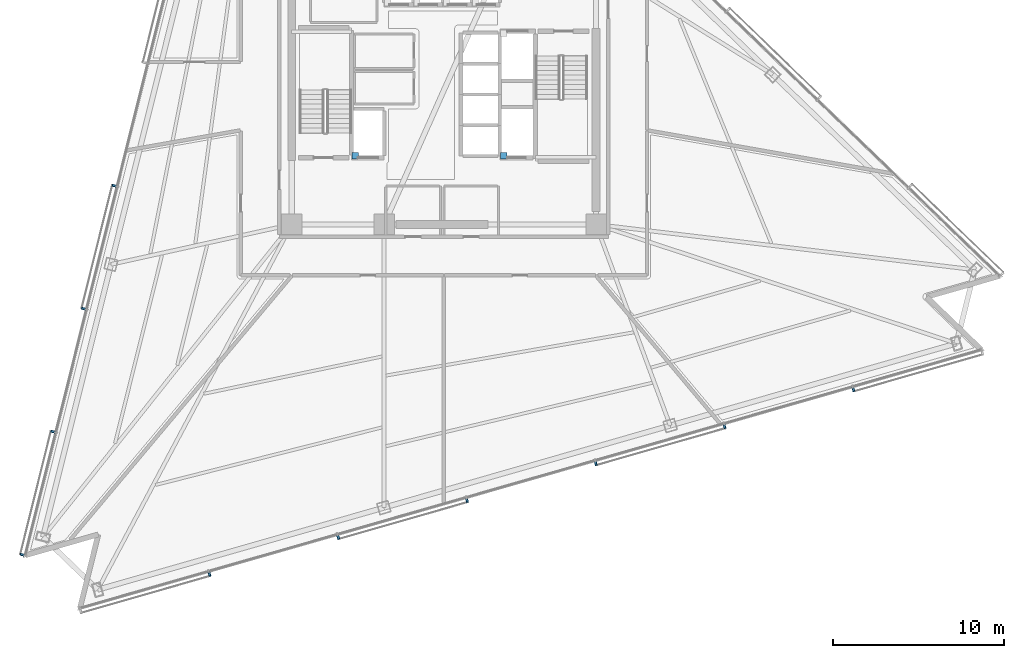
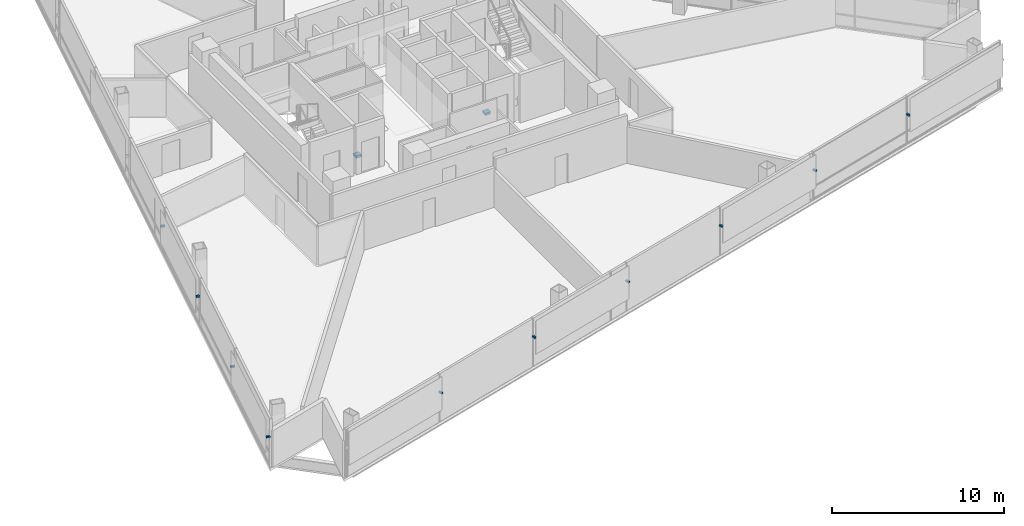
# One storey, part 12 of 19: 12 discrete accessories.
"""IFC4 building model written with IfcOpenShell, lengths in metres."""

from ifc_helpers import new_model, si_unit, direction, frame, origin, origin_2d, place, context, subcontext, project, spatial, rectangle, extrude, material, type_object, element, save


model = new_model("IFC4")

# Units and contexts
model_context = context("Model", 3, precision=1e-05, world=origin(), true_north=direction((0.0, 1.0)))
body_context = subcontext(model_context, "Body", "Model", "MODEL_VIEW")
ifc_project = project(units=[si_unit("LENGTHUNIT", "METRE"), si_unit("AREAUNIT", "SQUARE_METRE"), si_unit("VOLUMEUNIT", "CUBIC_METRE"), si_unit("PLANEANGLEUNIT", "RADIAN"), si_unit("MASSUNIT", "GRAM", prefix="KILO")], contexts=[model_context])

# Site, building, storey
site_placement = place(None, origin())
site = spatial("IfcSite", under=ifc_project, at=site_placement, CompositionType="ELEMENT")
building_placement = place(site_placement, origin())
building = spatial("IfcBuilding", under=site, at=building_placement, Name="Tharavind Bronze Gate", CompositionType="ELEMENT")
storey_placement = place(building_placement, frame((0.0, 0.0, 89.699951171875)))
storey = spatial("IfcBuildingStorey", under=building, at=storey_placement, Name="L22", CompositionType="ELEMENT", Elevation=89.699951171875)

# Discrete accessories
ifc_material_1 = material(Name="Galvanised Steel S355", Category="steel")
discrete_accessory_type_1 = type_object("IfcDiscreteAccessoryType", Name="LIFT GUIDE RAIL BRACKET", PredefinedType="BRACKET", material=ifc_material_1)
for number, where, z_axis, x_axis, name in (
    (1, (-5.179931640625, -3.580078125, 1.1201171875), (0.0, 0.0, 1.0), (1.0, 0.0, 0.0), "Lift FFL1 guide rail bracket at L22"),
    (2, (3.5, -3.580078125, 1.1201171875), (0.0, 0.0, 1.0), (1.0, 0.0, 0.0), "Lift SVL1 guide rail bracket at L22"),
):
    element("IfcDiscreteAccessory", number, at=place(storey_placement, frame(where, z_axis=z_axis, x_axis=x_axis)), inside=storey, type_object=discrete_accessory_type_1, Name=name, PredefinedType="BRACKET", context=body_context, shape_type="SweptSolid", body=[
        extrude(rectangle(XDim=0.360107421875, YDim=0.360107421875, at=origin_2d()), origin(), (0.0, 0.0, 1.0), 0.159912109375),
    ])
ifc_material_2 = material(Name="Stainless Steel 316", Category="steel")
discrete_accessory_type_2 = type_object("IfcDiscreteAccessoryType", Name="SOLAR SCREEN STANDOFF BRACKET", PredefinedType="BRACKET", material=ifc_material_2)
for number, where, z_axis, x_axis, name in (
    (3, (-19.282958984375, -5.338134765625, 2.094970703125), (0.0, 0.0, 1.0), (-0.2419218956, -0.970295726276, 0.0), "CW-L22-S1 solar screen bracket 5.1"),
    (4, (-21.07666015625, -12.531982421875, 2.094970703125), (0.0, 0.0, 1.0), (-0.2419218956, -0.970295726276, 0.0), "CW-L22-S1 solar screen bracket 5.2"),
    (5, (-22.870361328125, -19.72607421875, 2.094970703125), (0.0, 0.0, 1.0), (-0.2419218956, -0.970295726276, 0.0), "CW-L22-S1 solar screen bracket 7.1"),
    (6, (-24.6640625, -26.920166015625, 2.094970703125), (0.0, 0.0, 1.0), (-0.2419218956, -0.970295726276, 0.0), "CW-L22-S1 solar screen bracket 7.2"),
    (7, (-13.71240234375, -28.060546875, 2.094970703125), (0.0, 0.0, 1.0), (0.961261695938, 0.275637355817, 0.0), "CW-L22-S2 solar screen bracket 1.2"),
    (8, (-6.178955078125, -25.900390625, 2.094970703125), (0.0, 0.0, 1.0), (0.961261695938, 0.275637355817, 0.0), "CW-L22-S2 solar screen bracket 3.1"),
    (9, (1.3544921875, -23.740234375, 2.094970703125), (0.0, 0.0, 1.0), (0.961261695938, 0.275637355817, 0.0), "CW-L22-S2 solar screen bracket 3.2"),
    (10, (8.887939453125, -21.580078125, 2.094970703125), (0.0, 0.0, 1.0), (0.961261695938, 0.275637355817, 0.0), "CW-L22-S2 solar screen bracket 5.1"),
    (11, (16.42138671875, -19.419921875, 2.094970703125), (0.0, 0.0, 1.0), (0.961261695938, 0.275637355817, 0.0), "CW-L22-S2 solar screen bracket 5.2"),
    (12, (23.954833984375, -17.259765625, 2.094970703125), (0.0, 0.0, 1.0), (0.961261695938, 0.275637355817, 0.0), "CW-L22-S2 solar screen bracket 7.1"),
):
    element("IfcDiscreteAccessory", number, at=place(storey_placement, frame(where, z_axis=z_axis, x_axis=x_axis)), inside=storey, type_object=discrete_accessory_type_2, Name=name, PredefinedType="BRACKET", context=body_context, shape_type="SweptSolid", body=[
        extrude(rectangle(XDim=0.1201171875, YDim=0.239990234375, at=origin_2d()), origin(), (0.0, 0.0, 1.0), 0.1201171875),
    ])

save(model, "model.ifc")
